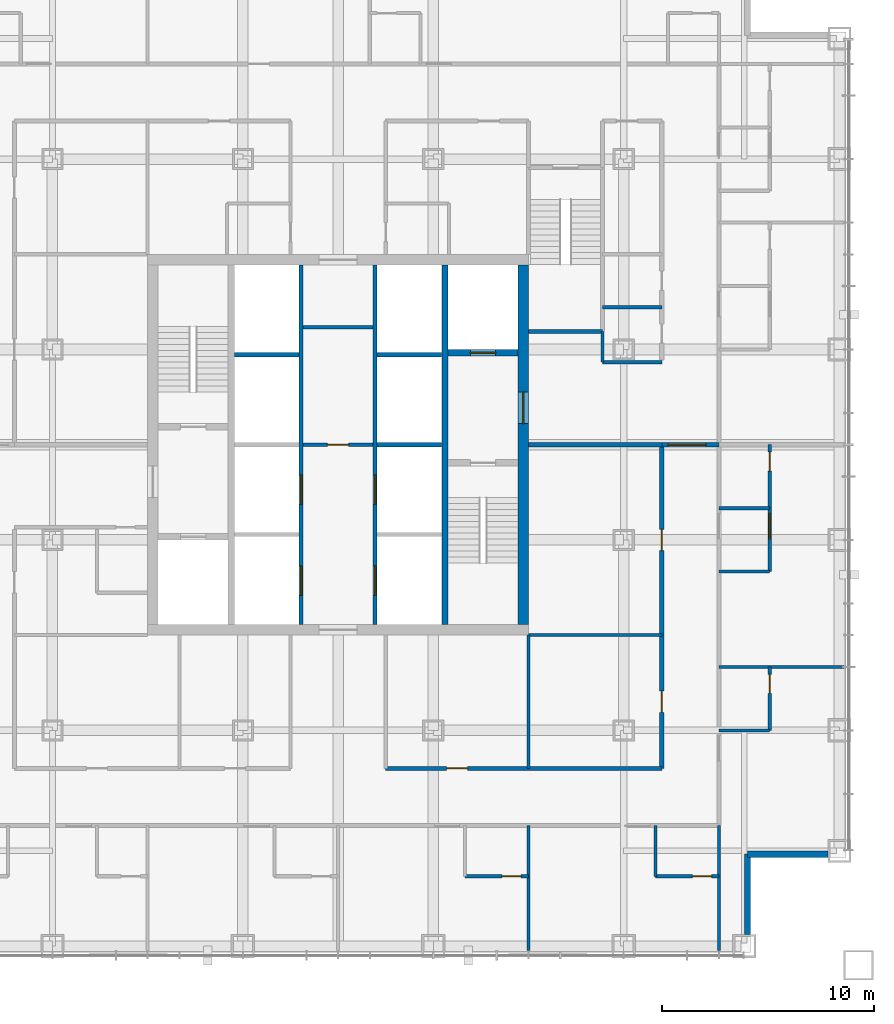
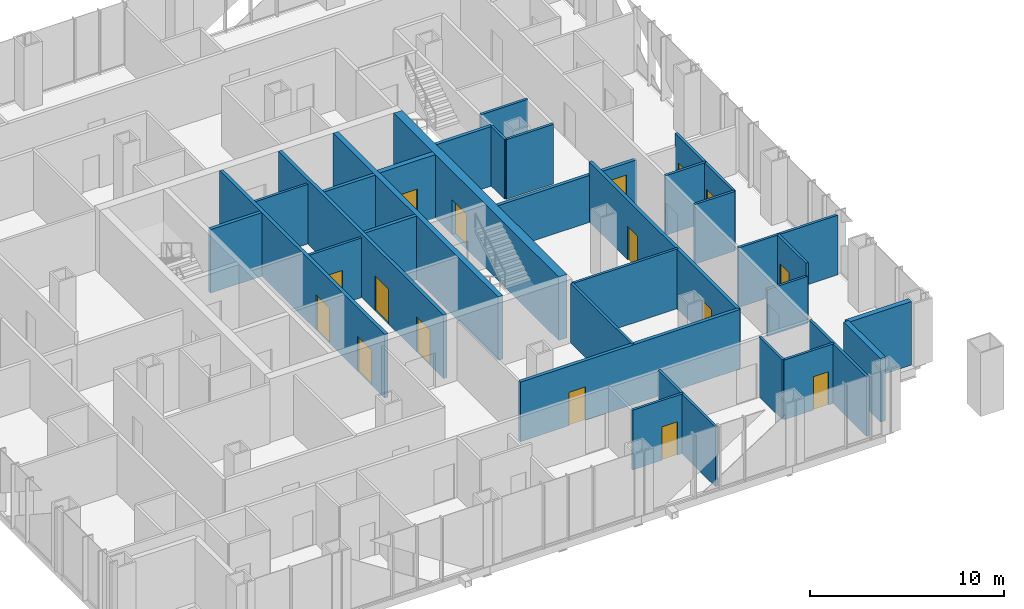
# One storey, part 10 of 13: 34 walls, 16 doors, 16 openings.
"""IFC4 building model written with IfcOpenShell, lengths in metres."""

from ifc_helpers import new_model, si_unit, direction, frame, frame_2d, origin, place, context, subcontext, project, spatial, rectangle, extrude, material, layer, layer_set, type_object, element, fill, save


model = new_model("IFC4")

# Units and contexts
model_context = context("Model", 3, precision=1e-05, world=origin(), true_north=direction((0.0, 1.0)))
body_context = subcontext(model_context, "Body", "Model", "MODEL_VIEW")
ifc_project = project(units=[si_unit("LENGTHUNIT", "METRE"), si_unit("AREAUNIT", "SQUARE_METRE"), si_unit("VOLUMEUNIT", "CUBIC_METRE"), si_unit("PLANEANGLEUNIT", "RADIAN"), si_unit("MASSUNIT", "GRAM", prefix="KILO")], contexts=[model_context])

# Site, building, storey
site_placement = place(None, origin())
site = spatial("IfcSite", under=ifc_project, at=site_placement, CompositionType="ELEMENT")
building_placement = place(site_placement, origin())
building = spatial("IfcBuilding", under=site, at=building_placement, Name="Malebo Sky Hospital", CompositionType="ELEMENT")
storey_placement = place(building_placement, frame((0.0, 0.0, 160.0)))
storey = spatial("IfcBuildingStorey", under=building, at=storey_placement, Name="L38", CompositionType="ELEMENT", Elevation=160.0)

# Wall, openings, doors
ifc_material_1 = material(Name="Concrete C80/95", Category="concrete")
ifc_layer_1 = layer(ifc_material_1, 0.199951171875)
ifc_layer_set_1 = layer_set([ifc_layer_1], Name="CORE INNER WALL 200")
wall_type_1 = type_object("IfcWallType", Name="CORE INNER WALL 200", PredefinedType="SHEAR", material=ifc_layer_set_1)
wall_1_placement = place(storey_placement, frame((58.25, 53.5, 0.0), z_axis=(0.0, 0.0, 1.0), x_axis=(0.0, 1.0, 0.0)))
wall_1 = element("IfcWall", 1, at=wall_1_placement, inside=storey, type_object=wall_type_1, Name="Core wall LW L38", PredefinedType="SHEAR", context=body_context, shape_type="SweptSolid", body=[
    extrude(rectangle(XDim=17.0, YDim=0.199951171875, at=frame_2d((8.5, 0.0))), origin(), (0.0, 0.0, 1.0), 4.0),
])
opening_1_placement = place(wall_1_placement, frame((1.375, 0.0, 0.0)))
opening_1 = element("IfcOpeningElement", 2, at=opening_1_placement, cuts=wall_1, Name="Opening LD1", PredefinedType="OPENING", context=body_context, shape_type="SweptSolid", body=[
    extrude(rectangle(XDim=1.39990234375, YDim=2.199951171875, at=frame_2d((0.699951171875, 1.10009765625))), frame((0.0, 0.10986328125, 0.0), z_axis=(0.0, -1.0, 0.0), x_axis=(1.0, 0.0, 0.0)), (0.0, 0.0, 1.0), 0.219970703125),
])
opening_2_placement = place(wall_1_placement, frame((5.675048828125, 0.0, 0.0)))
opening_2 = element("IfcOpeningElement", 3, at=opening_2_placement, cuts=wall_1, Name="Opening LD1", PredefinedType="OPENING", context=body_context, shape_type="SweptSolid", body=[
    extrude(rectangle(XDim=1.39990234375, YDim=2.199951171875, at=frame_2d((0.699951171875, 1.10009765625))), frame((0.0, 0.10986328125, 0.0), z_axis=(0.0, -1.0, 0.0), x_axis=(1.0, 0.0, 0.0)), (0.0, 0.0, 1.0), 0.219970703125),
])
ifc_material_2 = material(Name="Stainless steel sliding landing door", Category="steel")
door_type_1 = type_object("IfcDoorType", Name="LIFT LANDING DOOR 1400", OperationType="SLIDING_TO_LEFT", PredefinedType="DOOR", material=ifc_material_2)
door_1_placement = place(opening_1_placement, origin())
door_1 = element("IfcDoor", 4, at=door_1_placement, inside=storey, type_object=door_type_1, Name="Lift W1 landing door", OperationType="SLIDING_TO_LEFT", OverallHeight=2.199951171875, OverallWidth=1.39990234375, PredefinedType="DOOR", context=body_context, shape_type="SweptSolid", body=[
    extrude(rectangle(XDim=1.39990234375, YDim=2.199951171875, at=frame_2d((0.699951171875, 1.10009765625))), frame((0.0, 0.02490234375, 0.0), z_axis=(0.0, -1.0, 0.0), x_axis=(1.0, 0.0, 0.0)), (0.0, 0.0, 1.0), 0.050048828125),
])
fill(opening_1, door_1)
door_2_placement = place(opening_2_placement, origin())
door_2 = element("IfcDoor", 5, at=door_2_placement, inside=storey, type_object=door_type_1, Name="Lift W2 landing door", OperationType="SLIDING_TO_LEFT", OverallHeight=2.199951171875, OverallWidth=1.39990234375, PredefinedType="DOOR", context=body_context, shape_type="SweptSolid", body=[
    extrude(rectangle(XDim=1.39990234375, YDim=2.199951171875, at=frame_2d((0.699951171875, 1.10009765625))), frame((0.0, 0.02490234375, 0.0), z_axis=(0.0, -1.0, 0.0), x_axis=(1.0, 0.0, 0.0)), (0.0, 0.0, 1.0), 0.050048828125),
])
fill(opening_2, door_2)

wall_2_placement = place(storey_placement, frame((61.75, 53.5, 0.0), z_axis=(0.0, 0.0, 1.0), x_axis=(0.0, 1.0, 0.0)))
wall_2 = element("IfcWall", 6, at=wall_2_placement, inside=storey, type_object=wall_type_1, Name="Core wall LE L38", PredefinedType="SHEAR", context=body_context, shape_type="SweptSolid", body=[
    extrude(rectangle(XDim=17.0, YDim=0.199951171875, at=frame_2d((8.5, 0.0))), origin(), (0.0, 0.0, 1.0), 4.0),
])
opening_3_placement = place(wall_2_placement, frame((1.375, 0.0, 0.0)))
opening_3 = element("IfcOpeningElement", 7, at=opening_3_placement, cuts=wall_2, Name="Opening LD1", PredefinedType="OPENING", context=body_context, shape_type="SweptSolid", body=[
    extrude(rectangle(XDim=1.39990234375, YDim=2.199951171875, at=frame_2d((0.699951171875, 1.10009765625))), frame((0.0, 0.10986328125, 0.0), z_axis=(0.0, -1.0, 0.0), x_axis=(1.0, 0.0, 0.0)), (0.0, 0.0, 1.0), 0.219970703125),
])
opening_4_placement = place(wall_2_placement, frame((5.675048828125, 0.0, 0.0)))
opening_4 = element("IfcOpeningElement", 8, at=opening_4_placement, cuts=wall_2, Name="Opening LD1", PredefinedType="OPENING", context=body_context, shape_type="SweptSolid", body=[
    extrude(rectangle(XDim=1.39990234375, YDim=2.199951171875, at=frame_2d((0.699951171875, 1.10009765625))), frame((0.0, 0.10986328125, 0.0), z_axis=(0.0, -1.0, 0.0), x_axis=(1.0, 0.0, 0.0)), (0.0, 0.0, 1.0), 0.219970703125),
])
door_3_placement = place(opening_3_placement, origin())
door_3 = element("IfcDoor", 9, at=door_3_placement, inside=storey, type_object=door_type_1, Name="Lift E1 landing door", OperationType="SLIDING_TO_LEFT", OverallHeight=2.199951171875, OverallWidth=1.39990234375, PredefinedType="DOOR", context=body_context, shape_type="SweptSolid", body=[
    extrude(rectangle(XDim=1.39990234375, YDim=2.199951171875, at=frame_2d((0.699951171875, 1.10009765625))), frame((0.0, 0.02490234375, 0.0), z_axis=(0.0, -1.0, 0.0), x_axis=(1.0, 0.0, 0.0)), (0.0, 0.0, 1.0), 0.050048828125),
])
fill(opening_3, door_3)
door_4_placement = place(opening_4_placement, origin())
door_4 = element("IfcDoor", 10, at=door_4_placement, inside=storey, type_object=door_type_1, Name="Lift E2 landing door", OperationType="SLIDING_TO_LEFT", OverallHeight=2.199951171875, OverallWidth=1.39990234375, PredefinedType="DOOR", context=body_context, shape_type="SweptSolid", body=[
    extrude(rectangle(XDim=1.39990234375, YDim=2.199951171875, at=frame_2d((0.699951171875, 1.10009765625))), frame((0.0, 0.02490234375, 0.0), z_axis=(0.0, -1.0, 0.0), x_axis=(1.0, 0.0, 0.0)), (0.0, 0.0, 1.0), 0.050048828125),
])
fill(opening_4, door_4)

# Walls
for number, where, z_axis, x_axis, name in (
    (11, (61.85009765625, 62.0, 0.0), (0.0, 0.0, 1.0), (1.0, 0.0, 0.0), "Core wall SE1 L38"),
    (12, (55.10009765625, 66.25, 0.0), (0.0, 0.0, 1.0), (1.0, 0.0, 0.0), "Core wall SW2 L38"),
    (13, (61.85009765625, 66.25, 0.0), (0.0, 0.0, 1.0), (1.0, 0.0, 0.0), "Core wall SE2 L38"),
):
    element("IfcWall", number, at=place(storey_placement, frame(where, z_axis=z_axis, x_axis=x_axis)), inside=storey, type_object=wall_type_1, Name=name, PredefinedType="SHEAR", context=body_context, shape_type="SweptSolid", body=[
        extrude(rectangle(XDim=3.0498046875, YDim=0.199951171875, at=frame_2d((1.52490234375, 0.0))), origin(), (0.0, 0.0, 1.0), 4.0),
    ])
ifc_layer_2 = layer(ifc_material_1, 0.300048828125)
ifc_layer_set_2 = layer_set([ifc_layer_2], Name="CORE INNER WALL 300")
wall_type_2 = type_object("IfcWallType", Name="CORE INNER WALL 300", PredefinedType="SHEAR", material=ifc_layer_set_2)
wall_3_placement = place(storey_placement, frame((65.050048828125, 53.5, 0.0), z_axis=(0.0, 0.0, 1.0), x_axis=(0.0, 1.0, 0.0)))
element("IfcWall", 14, at=wall_3_placement, inside=storey, type_object=wall_type_2, Name="Core wall XE L38", PredefinedType="SHEAR", context=body_context, shape_type="SweptSolid", body=[
    extrude(rectangle(XDim=17.0, YDim=0.300048828125, at=frame_2d((8.5, 0.0))), origin(), (0.0, 0.0, 1.0), 4.0),
])

# Wall, opening, door
wall_4_placement = place(storey_placement, frame((65.199951171875, 66.35009765625, 0.0), z_axis=(0.0, 0.0, 1.0), x_axis=(1.0, 0.0, 0.0)))
wall_4 = element("IfcWall", 15, at=wall_4_placement, inside=storey, type_object=wall_type_2, Name="Core wall E2 L38", PredefinedType="SHEAR", context=body_context, shape_type="SweptSolid", body=[
    extrude(rectangle(XDim=3.300048828125, YDim=0.300048828125, at=frame_2d((1.64990234375, 0.0))), origin(), (0.0, 0.0, 1.0), 4.0),
])
opening_5_placement = place(wall_4_placement, frame((1.050048828125, 0.0, 0.0)))
opening_5 = element("IfcOpeningElement", 16, at=opening_5_placement, cuts=wall_4, Name="Opening LD2", PredefinedType="OPENING", context=body_context, shape_type="SweptSolid", body=[
    extrude(rectangle(XDim=1.199951171875, YDim=2.199951171875, at=frame_2d((0.60009765625, 1.10009765625))), frame((0.0, 0.159912109375, 0.0), z_axis=(0.0, -1.0, 0.0), x_axis=(1.0, 0.0, 0.0)), (0.0, 0.0, 1.0), 0.320068359375),
])
door_type_2 = type_object("IfcDoorType", Name="FIRE-FIGHTING LIFT LANDING DOOR 1200", OperationType="SLIDING_TO_LEFT", PredefinedType="DOOR", material=ifc_material_2)
door_5_placement = place(opening_5_placement, origin())
door_5 = element("IfcDoor", 17, at=door_5_placement, inside=storey, type_object=door_type_2, Name="Lift FL2 landing door", OperationType="SLIDING_TO_LEFT", OverallHeight=2.199951171875, OverallWidth=1.199951171875, PredefinedType="DOOR", context=body_context, shape_type="SweptSolid", body=[
    extrude(rectangle(XDim=1.199951171875, YDim=2.199951171875, at=frame_2d((0.60009765625, 1.10009765625))), frame((0.0, 0.02490234375, 0.0), z_axis=(0.0, -1.0, 0.0), x_axis=(1.0, 0.0, 0.0)), (0.0, 0.0, 1.0), 0.050048828125),
])
fill(opening_5, door_5)

ifc_layer_3 = layer(ifc_material_1, 0.5)
ifc_layer_set_3 = layer_set([ifc_layer_3], Name="CORE WALL 500")
wall_type_3 = type_object("IfcWallType", Name="CORE WALL 500", PredefinedType="SHEAR", material=ifc_layer_set_3)
wall_5_placement = place(storey_placement, frame((68.75, 53.5, 0.0), z_axis=(0.0, 0.0, 1.0), x_axis=(0.0, 1.0, 0.0)))
wall_5 = element("IfcWall", 18, at=wall_5_placement, inside=storey, type_object=wall_type_3, Name="Core wall E L38", PredefinedType="SHEAR", context=body_context, shape_type="SweptSolid", body=[
    extrude(rectangle(XDim=17.0, YDim=0.5, at=frame_2d((8.5, 0.0))), origin(), (0.0, 0.0, 1.0), 4.0),
])
opening_6_placement = place(wall_5_placement, frame((9.5, 0.0, 0.0)))
opening_6 = element("IfcOpeningElement", 19, at=opening_6_placement, cuts=wall_5, Name="Opening D07", PredefinedType="OPENING", context=body_context, shape_type="SweptSolid", body=[
    extrude(rectangle(XDim=1.5, YDim=2.199951171875, at=frame_2d((0.75, 1.10009765625))), frame((0.0, 0.260009765625, 0.0), z_axis=(0.0, -1.0, 0.0), x_axis=(1.0, 0.0, 0.0)), (0.0, 0.0, 1.0), 0.52001953125),
])
ifc_material_3 = material(Name="Hardwood-faced door leaf in steel frame", Category="steel")
door_type_3 = type_object("IfcDoorType", Name="FIRE-FIGHTING LOBBY DOOR PAIR 1500", OperationType="DOUBLE_DOOR_SINGLE_SWING", PredefinedType="DOOR", material=ifc_material_3)
door_6_placement = place(opening_6_placement, origin())
door_6 = element("IfcDoor", 20, at=door_6_placement, inside=storey, type_object=door_type_3, Name="Fire-fighting lobby door east", OperationType="DOUBLE_DOOR_SINGLE_SWING", OverallHeight=2.199951171875, OverallWidth=1.5, PredefinedType="DOOR", context=body_context, shape_type="SweptSolid", body=[
    extrude(rectangle(XDim=1.5, YDim=2.199951171875, at=frame_2d((0.75, 1.10009765625))), frame((0.0, 0.02490234375, 0.0), z_axis=(0.0, -1.0, 0.0), x_axis=(1.0, 0.0, 0.0)), (0.0, 0.0, 1.0), 0.050048828125),
])
fill(opening_6, door_6)

ifc_material_4 = material(Name="Gypsum board on steel studs", Category="steel")
ifc_layer_4 = layer(ifc_material_4, 0.199951171875)
ifc_layer_set_4 = layer_set([ifc_layer_4], Name="CORRIDOR WALL 200")
wall_type_4 = type_object("IfcWallType", Name="CORRIDOR WALL 200", PredefinedType="PARTITIONING", material=ifc_layer_set_4)
wall_6_placement = place(storey_placement, frame((75.300048828125, 46.699951171875, 0.0), z_axis=(0.0, 0.0, 1.0), x_axis=(-1.0, 0.0, 0.0)))
wall_6 = element("IfcWall", 21, at=wall_6_placement, inside=storey, type_object=wall_type_4, Name="Corridor Wall 200 SCI1", PredefinedType="PARTITIONING", context=body_context, shape_type="SweptSolid", body=[
    extrude(rectangle(XDim=13.050048828125, YDim=0.199951171875, at=frame_2d((6.52490234375, 0.0))), origin(), (0.0, 0.0, 1.0), 3.75),
])
opening_7_placement = place(wall_6_placement, frame((9.175048828125, 0.0, 0.0)))
opening_7 = element("IfcOpeningElement", 22, at=opening_7_placement, cuts=wall_6, Name="Opening D03", PredefinedType="OPENING", context=body_context, shape_type="SweptSolid", body=[
    extrude(rectangle(XDim=1.0, YDim=2.10009765625, at=frame_2d((0.5, 1.050048828125))), frame((0.0, 0.10986328125, 0.0), z_axis=(0.0, -1.0, 0.0), x_axis=(1.0, 0.0, 0.0)), (0.0, 0.0, 1.0), 0.219970703125),
])
door_type_4 = type_object("IfcDoorType", Name="ROOM DOOR 1000", OperationType="SINGLE_SWING_LEFT", PredefinedType="DOOR", material=ifc_material_3)
door_7_placement = place(opening_7_placement, origin())
door_7 = element("IfcDoor", 23, at=door_7_placement, inside=storey, type_object=door_type_4, Name="Staff base door", OperationType="SINGLE_SWING_LEFT", OverallHeight=2.10009765625, OverallWidth=1.0, PredefinedType="DOOR", context=body_context, shape_type="SweptSolid", body=[
    extrude(rectangle(XDim=1.0, YDim=2.10009765625, at=frame_2d((0.5, 1.050048828125))), frame((0.0, 0.02490234375, 0.0), z_axis=(0.0, -1.0, 0.0), x_axis=(1.0, 0.0, 0.0)), (0.0, 0.0, 1.0), 0.050048828125),
])
fill(opening_7, door_7)

# Wall, openings, doors
wall_7_placement = place(storey_placement, frame((75.300048828125, 62.0, 0.0), z_axis=(0.0, 0.0, 1.0), x_axis=(0.0, -1.0, 0.0)))
wall_7 = element("IfcWall", 24, at=wall_7_placement, inside=storey, type_object=wall_type_4, Name="Corridor Wall 200 ECI2", PredefinedType="PARTITIONING", context=body_context, shape_type="SweptSolid", body=[
    extrude(rectangle(XDim=15.300048828125, YDim=0.199951171875, at=frame_2d((7.64990234375, 0.0))), origin(), (0.0, 0.0, 1.0), 3.75),
])
opening_8_placement = place(wall_7_placement, frame((4.0, 0.0, 0.0)))
opening_8 = element("IfcOpeningElement", 25, at=opening_8_placement, cuts=wall_7, Name="Opening D03", PredefinedType="OPENING", context=body_context, shape_type="SweptSolid", body=[
    extrude(rectangle(XDim=1.0, YDim=2.10009765625, at=frame_2d((0.5, 1.050048828125))), frame((0.0, 0.10986328125, 0.0), z_axis=(0.0, -1.0, 0.0), x_axis=(1.0, 0.0, 0.0)), (0.0, 0.0, 1.0), 0.219970703125),
])
opening_9_placement = place(wall_7_placement, frame((11.64990234375, 0.0, 0.0)))
opening_9 = element("IfcOpeningElement", 26, at=opening_9_placement, cuts=wall_7, Name="Opening D03", PredefinedType="OPENING", context=body_context, shape_type="SweptSolid", body=[
    extrude(rectangle(XDim=1.0, YDim=2.10009765625, at=frame_2d((0.5, 1.050048828125))), frame((0.0, 0.10986328125, 0.0), z_axis=(0.0, -1.0, 0.0), x_axis=(1.0, 0.0, 0.0)), (0.0, 0.0, 1.0), 0.219970703125),
])
door_8_placement = place(opening_8_placement, origin())
door_8 = element("IfcDoor", 27, at=door_8_placement, inside=storey, type_object=door_type_4, Name="Staff rest room door", OperationType="SINGLE_SWING_LEFT", OverallHeight=2.10009765625, OverallWidth=1.0, PredefinedType="DOOR", context=body_context, shape_type="SweptSolid", body=[
    extrude(rectangle(XDim=1.0, YDim=2.10009765625, at=frame_2d((0.5, 1.050048828125))), frame((0.0, 0.02490234375, 0.0), z_axis=(0.0, -1.0, 0.0), x_axis=(1.0, 0.0, 0.0)), (0.0, 0.0, 1.0), 0.050048828125),
])
fill(opening_8, door_8)
door_9_placement = place(opening_9_placement, origin())
door_9 = element("IfcDoor", 28, at=door_9_placement, inside=storey, type_object=door_type_4, Name="Interview room door", OperationType="SINGLE_SWING_RIGHT", OverallHeight=2.10009765625, OverallWidth=1.0, PredefinedType="DOOR", context=body_context, shape_type="SweptSolid", body=[
    extrude(rectangle(XDim=1.0, YDim=2.10009765625, at=frame_2d((0.5, 1.050048828125))), frame((0.0, 0.02490234375, 0.0), z_axis=(0.0, -1.0, 0.0), x_axis=(1.0, 0.0, 0.0)), (0.0, 0.0, 1.0), 0.050048828125),
])
fill(opening_9, door_9)

# Walls
ifc_material_5 = material(Name="Anodised aluminium rainscreen on steel framing", Category="steel")
ifc_layer_5 = layer(ifc_material_5, 0.300048828125)
ifc_layer_set_5 = layer_set([ifc_layer_5], Name="NOTCH RAINSCREEN WALL 300")
wall_type_5 = type_object("IfcWallType", Name="NOTCH RAINSCREEN WALL 300", PredefinedType="ELEMENTEDWALL", material=ifc_layer_set_5)
for number, where, z_axis, x_axis, name in (
    (29, (83.14990234375, 42.64990234375, 0.0), (0.0, 0.0, 1.0), (-1.0, 0.0, 0.0), "Notch rainscreen wall E1 L38"),
    (30, (79.35009765625, 42.64990234375, 0.0), (0.0, 0.0, 1.0), (0.0, -1.0, 0.0), "Notch rainscreen wall E2 L38"),
):
    element("IfcWall", number, at=place(storey_placement, frame(where, z_axis=z_axis, x_axis=x_axis)), inside=storey, type_object=wall_type_5, Name=name, PredefinedType="ELEMENTEDWALL", context=body_context, shape_type="SweptSolid", body=[
        extrude(rectangle(XDim=3.7998046875, YDim=0.300048828125, at=frame_2d((1.89990234375, 0.0))), origin(), (0.0, 0.0, 1.0), 4.0),
    ])
ifc_layer_6 = layer(ifc_material_4, 0.14990234375)
ifc_layer_set_6 = layer_set([ifc_layer_6], Name="PARTITION 150")
wall_type_6 = type_object("IfcWallType", Name="PARTITION 150", PredefinedType="PARTITIONING", material=ifc_layer_set_6)
for number, where, z_axis, x_axis, name in (
    (31, (69.0, 44.0, 0.0), (0.0, 0.0, 1.0), (0.0, -1.0, 0.0), "Partition 150 SP-9.0"),
    (32, (78.0, 44.0, 0.0), (0.0, 0.0, 1.0), (0.0, -1.0, 0.0), "Partition 150 SP0"),
):
    element("IfcWall", number, at=place(storey_placement, frame(where, z_axis=z_axis, x_axis=x_axis)), inside=storey, type_object=wall_type_6, Name=name, PredefinedType="PARTITIONING", context=body_context, shape_type="SweptSolid", body=[
        extrude(rectangle(XDim=5.909912109375, YDim=0.14990234375, at=frame_2d((2.955078125, 0.0))), origin(), (0.0, 0.0, 1.0), 3.75),
    ])

# Wall, opening, door
wall_8_placement = place(storey_placement, frame((78.0, 41.60009765625, 0.0), z_axis=(0.0, 0.0, 1.0), x_axis=(-1.0, 0.0, 0.0)))
wall_8 = element("IfcWall", 33, at=wall_8_placement, inside=storey, type_object=wall_type_6, Name="Partition 150 SE0F", PredefinedType="PARTITIONING", context=body_context, shape_type="SweptSolid", body=[
    extrude(rectangle(XDim=3.0, YDim=0.14990234375, at=frame_2d((1.5, 0.0))), origin(), (0.0, 0.0, 1.0), 3.75),
])
opening_10_placement = place(wall_8_placement, frame((0.35009765625, 0.0, 0.0)))
opening_10 = element("IfcOpeningElement", 34, at=opening_10_placement, cuts=wall_8, Name="Opening D02", PredefinedType="OPENING", context=body_context, shape_type="SweptSolid", body=[
    extrude(rectangle(XDim=0.89990234375, YDim=2.10009765625, at=frame_2d((0.449951171875, 1.050048828125))), frame((0.0, 0.0849609375, 0.0), z_axis=(0.0, -1.0, 0.0), x_axis=(1.0, 0.0, 0.0)), (0.0, 0.0, 1.0), 0.169921875),
])
door_type_5 = type_object("IfcDoorType", Name="EN-SUITE DOOR 900", OperationType="SINGLE_SWING_LEFT", PredefinedType="DOOR", material=ifc_material_3)
door_10_placement = place(opening_10_placement, origin())
door_10 = element("IfcDoor", 35, at=door_10_placement, inside=storey, type_object=door_type_5, Name="En-suite door", OperationType="SINGLE_SWING_LEFT", OverallHeight=2.10009765625, OverallWidth=0.89990234375, PredefinedType="DOOR", context=body_context, shape_type="SweptSolid", body=[
    extrude(rectangle(XDim=0.89990234375, YDim=2.10009765625, at=frame_2d((0.449951171875, 1.050048828125))), frame((0.0, 0.02490234375, 0.0), z_axis=(0.0, -1.0, 0.0), x_axis=(1.0, 0.0, 0.0)), (0.0, 0.0, 1.0), 0.050048828125),
])
fill(opening_10, door_10)

# Wall
wall_9_placement = place(storey_placement, frame((75.0, 44.0, 0.0), z_axis=(0.0, 0.0, 1.0), x_axis=(0.0, -1.0, 0.0)))
element("IfcWall", 36, at=wall_9_placement, inside=storey, type_object=wall_type_6, Name="Partition 150 SE0S", PredefinedType="PARTITIONING", context=body_context, shape_type="SweptSolid", body=[
    extrude(rectangle(XDim=2.39990234375, YDim=0.14990234375, at=frame_2d((1.199951171875, 0.0))), origin(), (0.0, 0.0, 1.0), 3.75),
])

# Wall, opening, door
wall_10_placement = place(storey_placement, frame((69.0, 41.60009765625, 0.0), z_axis=(0.0, 0.0, 1.0), x_axis=(-1.0, 0.0, 0.0)))
wall_10 = element("IfcWall", 37, at=wall_10_placement, inside=storey, type_object=wall_type_6, Name="Partition 150 SE1F", PredefinedType="PARTITIONING", context=body_context, shape_type="SweptSolid", body=[
    extrude(rectangle(XDim=3.0, YDim=0.14990234375, at=frame_2d((1.5, 0.0))), origin(), (0.0, 0.0, 1.0), 3.75),
])
opening_11_placement = place(wall_10_placement, frame((0.35009765625, 0.0, 0.0)))
opening_11 = element("IfcOpeningElement", 38, at=opening_11_placement, cuts=wall_10, Name="Opening D02", PredefinedType="OPENING", context=body_context, shape_type="SweptSolid", body=[
    extrude(rectangle(XDim=0.89990234375, YDim=2.10009765625, at=frame_2d((0.449951171875, 1.050048828125))), frame((0.0, 0.0849609375, 0.0), z_axis=(0.0, -1.0, 0.0), x_axis=(1.0, 0.0, 0.0)), (0.0, 0.0, 1.0), 0.169921875),
])
door_11_placement = place(opening_11_placement, origin())
door_11 = element("IfcDoor", 39, at=door_11_placement, inside=storey, type_object=door_type_5, Name="En-suite door", OperationType="SINGLE_SWING_LEFT", OverallHeight=2.10009765625, OverallWidth=0.89990234375, PredefinedType="DOOR", context=body_context, shape_type="SweptSolid", body=[
    extrude(rectangle(XDim=0.89990234375, YDim=2.10009765625, at=frame_2d((0.449951171875, 1.050048828125))), frame((0.0, 0.02490234375, 0.0), z_axis=(0.0, -1.0, 0.0), x_axis=(1.0, 0.0, 0.0)), (0.0, 0.0, 1.0), 0.050048828125),
])
fill(opening_11, door_11)

# Walls
wall_11_placement = place(storey_placement, frame((69.0, 53.0, 0.0), z_axis=(0.0, 0.0, 1.0), x_axis=(0.0, -1.0, 0.0)))
element("IfcWall", 40, at=wall_11_placement, inside=storey, type_object=wall_type_6, Name="Partition 150 SSP0", PredefinedType="PARTITIONING", context=body_context, shape_type="SweptSolid", body=[
    extrude(rectangle(XDim=6.300048828125, YDim=0.14990234375, at=frame_2d((3.14990234375, 0.0))), origin(), (0.0, 0.0, 1.0), 3.75),
])
wall_12_placement = place(storey_placement, frame((78.0, 51.5, 0.0), z_axis=(0.0, 0.0, 1.0), x_axis=(1.0, 0.0, 0.0)))
element("IfcWall", 41, at=wall_12_placement, inside=storey, type_object=wall_type_6, Name="Partition 150 EP+10.5", PredefinedType="PARTITIONING", context=body_context, shape_type="SweptSolid", body=[
    extrude(rectangle(XDim=5.909912109375, YDim=0.14990234375, at=frame_2d((2.955078125, 0.0))), origin(), (0.0, 0.0, 1.0), 3.75),
])

# Wall, opening, door
wall_13_placement = place(storey_placement, frame((80.39990234375, 62.0, 0.0), z_axis=(0.0, 0.0, 1.0), x_axis=(0.0, -1.0, 0.0)))
wall_13 = element("IfcWall", 42, at=wall_13_placement, inside=storey, type_object=wall_type_6, Name="Partition 150 EE2F", PredefinedType="PARTITIONING", context=body_context, shape_type="SweptSolid", body=[
    extrude(rectangle(XDim=3.0, YDim=0.14990234375, at=frame_2d((1.5, 0.0))), origin(), (0.0, 0.0, 1.0), 3.75),
])
opening_12_placement = place(wall_13_placement, frame((0.35009765625, 0.0, 0.0)))
opening_12 = element("IfcOpeningElement", 43, at=opening_12_placement, cuts=wall_13, Name="Opening D02", PredefinedType="OPENING", context=body_context, shape_type="SweptSolid", body=[
    extrude(rectangle(XDim=0.89990234375, YDim=2.10009765625, at=frame_2d((0.449951171875, 1.050048828125))), frame((0.0, 0.0849609375, 0.0), z_axis=(0.0, -1.0, 0.0), x_axis=(1.0, 0.0, 0.0)), (0.0, 0.0, 1.0), 0.169921875),
])
door_12_placement = place(opening_12_placement, origin())
door_12 = element("IfcDoor", 44, at=door_12_placement, inside=storey, type_object=door_type_5, Name="En-suite door", OperationType="SINGLE_SWING_LEFT", OverallHeight=2.10009765625, OverallWidth=0.89990234375, PredefinedType="DOOR", context=body_context, shape_type="SweptSolid", body=[
    extrude(rectangle(XDim=0.89990234375, YDim=2.10009765625, at=frame_2d((0.449951171875, 1.050048828125))), frame((0.0, 0.02490234375, 0.0), z_axis=(0.0, -1.0, 0.0), x_axis=(1.0, 0.0, 0.0)), (0.0, 0.0, 1.0), 0.050048828125),
])
fill(opening_12, door_12)

# Wall
wall_14_placement = place(storey_placement, frame((78.0, 59.0, 0.0), z_axis=(0.0, 0.0, 1.0), x_axis=(1.0, 0.0, 0.0)))
element("IfcWall", 45, at=wall_14_placement, inside=storey, type_object=wall_type_6, Name="Partition 150 EE2S", PredefinedType="PARTITIONING", context=body_context, shape_type="SweptSolid", body=[
    extrude(rectangle(XDim=2.39990234375, YDim=0.14990234375, at=frame_2d((1.199951171875, 0.0))), origin(), (0.0, 0.0, 1.0), 3.75),
])

# Wall, opening, door
wall_15_placement = place(storey_placement, frame((80.39990234375, 51.5, 0.0), z_axis=(0.0, 0.0, 1.0), x_axis=(0.0, -1.0, 0.0)))
wall_15 = element("IfcWall", 46, at=wall_15_placement, inside=storey, type_object=wall_type_6, Name="Partition 150 EE3F", PredefinedType="PARTITIONING", context=body_context, shape_type="SweptSolid", body=[
    extrude(rectangle(XDim=3.0, YDim=0.14990234375, at=frame_2d((1.5, 0.0))), origin(), (0.0, 0.0, 1.0), 3.75),
])
opening_13_placement = place(wall_15_placement, frame((0.35009765625, 0.0, 0.0)))
opening_13 = element("IfcOpeningElement", 47, at=opening_13_placement, cuts=wall_15, Name="Opening D02", PredefinedType="OPENING", context=body_context, shape_type="SweptSolid", body=[
    extrude(rectangle(XDim=0.89990234375, YDim=2.10009765625, at=frame_2d((0.449951171875, 1.050048828125))), frame((0.0, 0.0849609375, 0.0), z_axis=(0.0, -1.0, 0.0), x_axis=(1.0, 0.0, 0.0)), (0.0, 0.0, 1.0), 0.169921875),
])
door_13_placement = place(opening_13_placement, origin())
door_13 = element("IfcDoor", 48, at=door_13_placement, inside=storey, type_object=door_type_5, Name="En-suite door", OperationType="SINGLE_SWING_LEFT", OverallHeight=2.10009765625, OverallWidth=0.89990234375, PredefinedType="DOOR", context=body_context, shape_type="SweptSolid", body=[
    extrude(rectangle(XDim=0.89990234375, YDim=2.10009765625, at=frame_2d((0.449951171875, 1.050048828125))), frame((0.0, 0.02490234375, 0.0), z_axis=(0.0, -1.0, 0.0), x_axis=(1.0, 0.0, 0.0)), (0.0, 0.0, 1.0), 0.050048828125),
])
fill(opening_13, door_13)

# Walls
wall_16_placement = place(storey_placement, frame((78.0, 48.5, 0.0), z_axis=(0.0, 0.0, 1.0), x_axis=(1.0, 0.0, 0.0)))
element("IfcWall", 49, at=wall_16_placement, inside=storey, type_object=wall_type_6, Name="Partition 150 EE3S", PredefinedType="PARTITIONING", context=body_context, shape_type="SweptSolid", body=[
    extrude(rectangle(XDim=2.39990234375, YDim=0.14990234375, at=frame_2d((1.199951171875, 0.0))), origin(), (0.0, 0.0, 1.0), 2.949951171875),
])
for number, where, z_axis, x_axis, name in (
    (50, (72.5, 65.89990234375, 0.0), (0.0, 0.0, 1.0), (1.0, 0.0, 0.0), "Partition 150 ESPA"),
    (51, (72.5, 68.5, 0.0), (0.0, 0.0, 1.0), (1.0, 0.0, 0.0), "Partition 150 ESP-6.5"),
):
    element("IfcWall", number, at=place(storey_placement, frame(where, z_axis=z_axis, x_axis=x_axis)), inside=storey, type_object=wall_type_6, Name=name, PredefinedType="PARTITIONING", context=body_context, shape_type="SweptSolid", body=[
        extrude(rectangle(XDim=2.800048828125, YDim=0.14990234375, at=frame_2d((1.39990234375, 0.0))), origin(), (0.0, 0.0, 1.0), 3.75),
    ])
wall_17_placement = place(storey_placement, frame((69.0, 53.0, 0.0), z_axis=(0.0, 0.0, 1.0), x_axis=(1.0, 0.0, 0.0)))
element("IfcWall", 52, at=wall_17_placement, inside=storey, type_object=wall_type_6, Name="Partition 150 ESP+9.0", PredefinedType="PARTITIONING", context=body_context, shape_type="SweptSolid", body=[
    extrude(rectangle(XDim=6.300048828125, YDim=0.14990234375, at=frame_2d((3.14990234375, 0.0))), origin(), (0.0, 0.0, 1.0), 3.75),
])

# Wall, opening, door
wall_18_placement = place(storey_placement, frame((58.35009765625, 62.0, 0.0), z_axis=(0.0, 0.0, 1.0), x_axis=(1.0, 0.0, 0.0)))
wall_18 = element("IfcWall", 53, at=wall_18_placement, inside=storey, type_object=wall_type_6, Name="Partition 150 LBN", PredefinedType="PARTITIONING", context=body_context, shape_type="SweptSolid", body=[
    extrude(rectangle(XDim=3.2998046875, YDim=0.14990234375, at=frame_2d((1.64990234375, 0.0))), origin(), (0.0, 0.0, 1.0), 3.75),
])
opening_14_placement = place(wall_18_placement, frame((1.14990234375, 0.0, 0.0)))
opening_14 = element("IfcOpeningElement", 54, at=opening_14_placement, cuts=wall_18, Name="Opening D03", PredefinedType="OPENING", context=body_context, shape_type="SweptSolid", body=[
    extrude(rectangle(XDim=1.0, YDim=2.10009765625, at=frame_2d((0.5, 1.050048828125))), frame((0.0, 0.0849609375, 0.0), z_axis=(0.0, -1.0, 0.0), x_axis=(1.0, 0.0, 0.0)), (0.0, 0.0, 1.0), 0.169921875),
])
door_14_placement = place(opening_14_placement, origin())
door_14 = element("IfcDoor", 55, at=door_14_placement, inside=storey, type_object=door_type_4, Name="Housekeeping store door", OperationType="SINGLE_SWING_LEFT", OverallHeight=2.10009765625, OverallWidth=1.0, PredefinedType="DOOR", context=body_context, shape_type="SweptSolid", body=[
    extrude(rectangle(XDim=1.0, YDim=2.10009765625, at=frame_2d((0.5, 1.050048828125))), frame((0.0, 0.02490234375, 0.0), z_axis=(0.0, -1.0, 0.0), x_axis=(1.0, 0.0, 0.0)), (0.0, 0.0, 1.0), 0.050048828125),
])
fill(opening_14, door_14)

# Walls
wall_19_placement = place(storey_placement, frame((58.35009765625, 67.55126953125, 0.0), z_axis=(0.0, 0.0, 1.0), x_axis=(1.0, 0.0, 0.0)))
element("IfcWall", 56, at=wall_19_placement, inside=storey, type_object=wall_type_6, Name="Partition 150 LBN1", PredefinedType="PARTITIONING", context=body_context, shape_type="SweptSolid", body=[
    extrude(rectangle(XDim=3.2998046875, YDim=0.14990234375, at=frame_2d((1.64990234375, 0.0))), origin(), (0.0, 0.0, 1.0), 3.75),
])
wall_20_placement = place(storey_placement, frame((72.5, 65.89990234375, 0.0), z_axis=(0.0, 0.0, 1.0), x_axis=(0.0, 1.0, 0.0)))
element("IfcWall", 57, at=wall_20_placement, inside=storey, type_object=wall_type_6, Name="Partition 150 ST3C", PredefinedType="PARTITIONING", context=body_context, shape_type="SweptSolid", body=[
    extrude(rectangle(XDim=1.4501953125, YDim=0.14990234375, at=frame_2d((0.72509765625, 0.0))), origin(), (0.0, 0.0, 1.0), 3.75),
])

# Wall, opening, door
ifc_material_6 = material(Name="Sealed gypsum board on steel studs, taped to the slab", Category="steel")
ifc_layer_7 = layer(ifc_material_6, 0.14990234375)
ifc_layer_set_7 = layer_set([ifc_layer_7], Name="SEALED ISOLATION PARTITION 150")
wall_type_7 = type_object("IfcWallType", Name="SEALED ISOLATION PARTITION 150", PredefinedType="PARTITIONING", material=ifc_layer_set_7)
wall_21_placement = place(storey_placement, frame((80.39990234375, 59.0, 0.0), z_axis=(0.0, 0.0, 1.0), x_axis=(0.0, -1.0, 0.0)))
wall_21 = element("IfcWall", 58, at=wall_21_placement, inside=storey, type_object=wall_type_7, Name="Sealed Isolation Partition 150 EA2F", PredefinedType="PARTITIONING", context=body_context, shape_type="SweptSolid", body=[
    extrude(rectangle(XDim=3.0, YDim=0.14990234375, at=frame_2d((1.5, 0.0))), origin(), (0.0, 0.0, 1.0), 3.75),
])
opening_15_placement = place(wall_21_placement, frame((0.25, 0.0, 0.0)))
opening_15 = element("IfcOpeningElement", 59, at=opening_15_placement, cuts=wall_21, Name="Opening D19", PredefinedType="OPENING", context=body_context, shape_type="SweptSolid", body=[
    extrude(rectangle(XDim=1.199951171875, YDim=2.199951171875, at=frame_2d((0.60009765625, 1.10009765625))), frame((0.0, 0.0849609375, 0.0), z_axis=(0.0, -1.0, 0.0), x_axis=(1.0, 0.0, 0.0)), (0.0, 0.0, 1.0), 0.169921875),
])
ifc_material_7 = material(Name="Hardwood-faced door leaf with perimeter seals in steel frame", Category="steel")
door_type_6 = type_object("IfcDoorType", Name="SEALED ISOLATION ROOM DOOR 1200", OperationType="SINGLE_SWING_LEFT", PredefinedType="DOOR", material=ifc_material_7)
door_15_placement = place(opening_15_placement, origin())
door_15 = element("IfcDoor", 60, at=door_15_placement, inside=storey, type_object=door_type_6, Name="Isolation room door", OperationType="SINGLE_SWING_LEFT", OverallHeight=2.199951171875, OverallWidth=1.199951171875, PredefinedType="DOOR", context=body_context, shape_type="SweptSolid", body=[
    extrude(rectangle(XDim=1.199951171875, YDim=2.199951171875, at=frame_2d((0.60009765625, 1.10009765625))), frame((0.0, 0.02490234375, 0.0), z_axis=(0.0, -1.0, 0.0), x_axis=(1.0, 0.0, 0.0)), (0.0, 0.0, 1.0), 0.050048828125),
])
fill(opening_15, door_15)

# Walls
wall_22_placement = place(storey_placement, frame((78.0, 56.0, 0.0), z_axis=(0.0, 0.0, 1.0), x_axis=(1.0, 0.0, 0.0)))
element("IfcWall", 61, at=wall_22_placement, inside=storey, type_object=wall_type_7, Name="Sealed Isolation Partition 150 EA2S", PredefinedType="PARTITIONING", context=body_context, shape_type="SweptSolid", body=[
    extrude(rectangle(XDim=2.39990234375, YDim=0.14990234375, at=frame_2d((1.199951171875, 0.0))), origin(), (0.0, 0.0, 1.0), 3.75),
])
ifc_material_8 = material(Name="Concrete blockwork", Category="masonry")
ifc_layer_8 = layer(ifc_material_8, 0.199951171875)
ifc_layer_set_8 = layer_set([ifc_layer_8], Name="SMOKE BARRIER WALL 200")
wall_type_8 = type_object("IfcWallType", Name="SMOKE BARRIER WALL 200", PredefinedType="SOLIDWALL", material=ifc_layer_set_8)
wall_23_placement = place(storey_placement, frame((69.0, 62.0, 0.0), z_axis=(0.0, 0.0, 1.0), x_axis=(1.0, 0.0, 0.0)))
element("IfcWall", 62, at=wall_23_placement, inside=storey, type_object=wall_type_8, Name="Smoke Barrier Wall 200 ESPB", PredefinedType="SOLIDWALL", context=body_context, shape_type="SweptSolid", body=[
    extrude(rectangle(XDim=6.300048828125, YDim=0.199951171875, at=frame_2d((3.14990234375, 0.0))), origin(), (0.0, 0.0, 1.0), 2.949951171875),
])

# Wall, opening, door
wall_24_placement = place(storey_placement, frame((75.300048828125, 62.0, 0.0), z_axis=(0.0, 0.0, 1.0), x_axis=(1.0, 0.0, 0.0)))
wall_24 = element("IfcWall", 63, at=wall_24_placement, inside=storey, type_object=wall_type_8, Name="Smoke Barrier Wall 200 ESB", PredefinedType="SOLIDWALL", context=body_context, shape_type="SweptSolid", body=[
    extrude(rectangle(XDim=2.699951171875, YDim=0.199951171875, at=frame_2d((1.35009765625, 0.0))), origin(), (0.0, 0.0, 1.0), 2.949951171875),
])
opening_16_placement = place(wall_24_placement, frame((0.300048828125, 0.0, 0.0)))
opening_16 = element("IfcOpeningElement", 64, at=opening_16_placement, cuts=wall_24, Name="Opening D05", PredefinedType="OPENING", context=body_context, shape_type="SweptSolid", body=[
    extrude(rectangle(XDim=1.800048828125, YDim=2.199951171875, at=frame_2d((0.89990234375, 1.10009765625))), frame((0.0, 0.10986328125, 0.0), z_axis=(0.0, -1.0, 0.0), x_axis=(1.0, 0.0, 0.0)), (0.0, 0.0, 1.0), 0.219970703125),
])
door_type_7 = type_object("IfcDoorType", Name="SMOKE DOOR PAIR 1800", OperationType="DOUBLE_DOOR_DOUBLE_SWING", PredefinedType="DOOR", material=ifc_material_3)
door_16_placement = place(opening_16_placement, origin())
door_16 = element("IfcDoor", 65, at=door_16_placement, inside=storey, type_object=door_type_7, Name="Smoke compartment door pair", OperationType="DOUBLE_DOOR_DOUBLE_SWING", OverallHeight=2.199951171875, OverallWidth=1.800048828125, PredefinedType="DOOR", context=body_context, shape_type="SweptSolid", body=[
    extrude(rectangle(XDim=1.800048828125, YDim=2.199951171875, at=frame_2d((0.89990234375, 1.10009765625))), frame((0.0, 0.02490234375, 0.0), z_axis=(0.0, -1.0, 0.0), x_axis=(1.0, 0.0, 0.0)), (0.0, 0.0, 1.0), 0.050048828125),
])
fill(opening_16, door_16)

# Wall
ifc_material_9 = material(Name="Concrete C40/50", Category="concrete")
ifc_layer_9 = layer(ifc_material_9, 0.199951171875)
ifc_layer_set_9 = layer_set([ifc_layer_9], Name="STAIR ENCLOSURE WALL 200")
wall_type_9 = type_object("IfcWallType", Name="STAIR ENCLOSURE WALL 200", PredefinedType="SOLIDWALL", material=ifc_layer_set_9)
wall_25_placement = place(storey_placement, frame((69.0, 67.35009765625, 0.0), z_axis=(0.0, 0.0, 1.0), x_axis=(1.0, 0.0, 0.0)))
element("IfcWall", 66, at=wall_25_placement, inside=storey, type_object=wall_type_9, Name="Stair Enclosure Wall 200 ST3S", PredefinedType="SOLIDWALL", context=body_context, shape_type="SweptSolid", body=[
    extrude(rectangle(XDim=3.5, YDim=0.199951171875, at=frame_2d((1.75, 0.0))), origin(), (0.0, 0.0, 1.0), 3.75),
])

save(model, "model.ifc")
